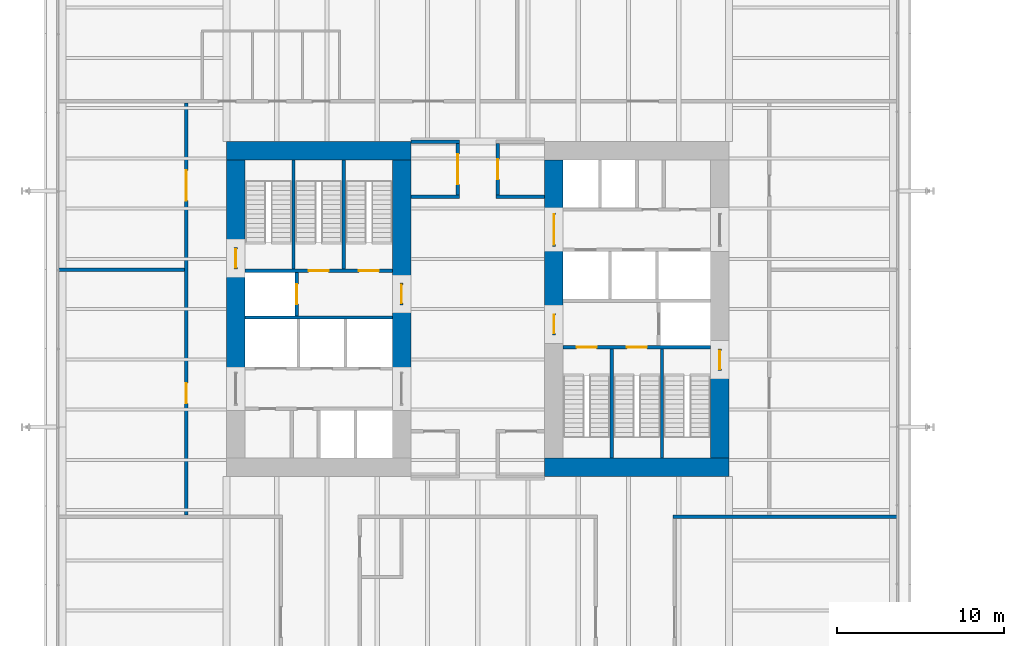
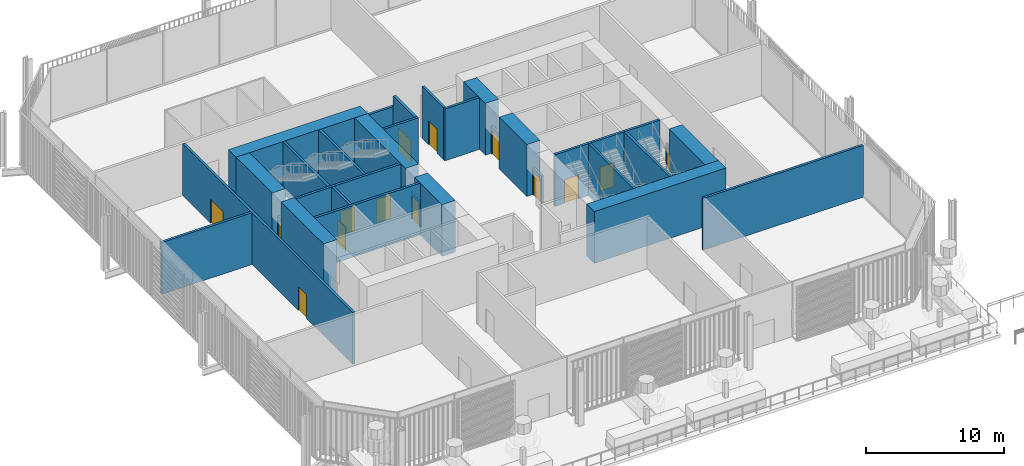
# One storey, part 16 of 21: 30 walls, 14 doors, 14 openings.
"""IFC4 building model written with IfcOpenShell, lengths in metres."""

from ifc_helpers import new_model, si_unit, direction, frame, frame_2d, origin, place, context, subcontext, project, spatial, rectangle, extrude, material, layer, layer_set, type_object, element, fill, save


model = new_model("IFC4")

# Units and contexts
model_context = context("Model", 3, precision=1e-05, world=origin(), true_north=direction((0.0, 1.0)))
body_context = subcontext(model_context, "Body", "Model", "MODEL_VIEW")
ifc_project = project(units=[si_unit("LENGTHUNIT", "METRE"), si_unit("AREAUNIT", "SQUARE_METRE"), si_unit("VOLUMEUNIT", "CUBIC_METRE"), si_unit("PLANEANGLEUNIT", "RADIAN"), si_unit("MASSUNIT", "GRAM", prefix="KILO")], contexts=[model_context])

# Site, building, storey
site_placement = place(None, origin())
site = spatial("IfcSite", under=ifc_project, at=site_placement, CompositionType="ELEMENT")
building_placement = place(site_placement, origin())
building = spatial("IfcBuilding", under=site, at=building_placement, Name="Millrace Tower", CompositionType="ELEMENT")
storey_placement = place(building_placement, frame((0.0, 0.0, 16.10009765625)))
storey = spatial("IfcBuildingStorey", under=building, at=storey_placement, Name="L04", CompositionType="ELEMENT", Elevation=16.10009765625)

# Walls
ifc_material_1 = material(Name="Concrete C80", Category="concrete")
ifc_layer_1 = layer(ifc_material_1, 1.10009765625)
ifc_layer_set_1 = layer_set([ifc_layer_1], Name="Concrete C80")
wall_type_1 = type_object("IfcWallType", Name="Core wall 1100 Concrete C80", PredefinedType="SHEAR", material=ifc_layer_set_1)
wall_1_placement = place(storey_placement, frame((-15.0, 9.449951171875, 0.0), z_axis=(0.0, 0.0, 1.0), x_axis=(1.0, 0.0, 0.0)))
element("IfcWall", 1, at=wall_1_placement, inside=storey, type_object=wall_type_1, Name="Core wall W L04", PredefinedType="SHEAR", context=body_context, shape_type="SweptSolid", body=[
    extrude(rectangle(XDim=11.0, YDim=1.10009765625, at=frame_2d((5.5, 0.0))), origin(), (0.0, 0.0, 1.0), 4.574951171875),
])
wall_2_placement = place(storey_placement, frame((-14.449951171875, -3.75, 0.0), z_axis=(0.0, 0.0, 1.0), x_axis=(0.0, 1.0, 0.0)))
element("IfcWall", 2, at=wall_2_placement, inside=storey, type_object=wall_type_1, Name="Core wall W L04", PredefinedType="SHEAR", context=body_context, shape_type="SweptSolid", body=[
    extrude(rectangle(XDim=6.1298828125, YDim=1.10009765625, at=frame_2d((3.06494140625, 0.0))), origin(), (0.0, 0.0, 1.0), 4.574951171875),
])
wall_3_placement = place(storey_placement, frame((-14.449951171875, 3.679931640625, 0.0), z_axis=(0.0, 0.0, 1.0), x_axis=(0.0, 1.0, 0.0)))
element("IfcWall", 3, at=wall_3_placement, inside=storey, type_object=wall_type_1, Name="Core wall W L04", PredefinedType="SHEAR", context=body_context, shape_type="SweptSolid", body=[
    extrude(rectangle(XDim=5.219970703125, YDim=1.10009765625, at=frame_2d((2.60986328125, 0.0))), origin(), (0.0, 0.0, 1.0), 4.574951171875),
])
wall_4_placement = place(storey_placement, frame((-4.550048828125, -3.75, 0.0), z_axis=(0.0, 0.0, 1.0), x_axis=(0.0, 1.0, 0.0)))
element("IfcWall", 4, at=wall_4_placement, inside=storey, type_object=wall_type_1, Name="Core wall W L04", PredefinedType="SHEAR", context=body_context, shape_type="SweptSolid", body=[
    extrude(rectangle(XDim=4.0, YDim=1.10009765625, at=frame_2d((2.0, 0.0))), origin(), (0.0, 0.0, 1.0), 4.574951171875),
])
wall_5_placement = place(storey_placement, frame((-4.550048828125, 1.550048828125, 0.0), z_axis=(0.0, 0.0, 1.0), x_axis=(0.0, 1.0, 0.0)))
element("IfcWall", 5, at=wall_5_placement, inside=storey, type_object=wall_type_1, Name="Core wall W L04", PredefinedType="SHEAR", context=body_context, shape_type="SweptSolid", body=[
    extrude(rectangle(XDim=7.349853515625, YDim=1.10009765625, at=frame_2d((3.6748046875, 0.0))), origin(), (0.0, 0.0, 1.0), 4.574951171875),
])
wall_6_placement = place(storey_placement, frame((15.0, -9.449951171875, 0.0), z_axis=(0.0, 0.0, 1.0), x_axis=(-1.0, 0.0, 0.0)))
element("IfcWall", 6, at=wall_6_placement, inside=storey, type_object=wall_type_1, Name="Core wall E L04", PredefinedType="SHEAR", context=body_context, shape_type="SweptSolid", body=[
    extrude(rectangle(XDim=11.0, YDim=1.10009765625, at=frame_2d((5.5, 0.0))), origin(), (0.0, 0.0, 1.0), 4.574951171875),
])
wall_7_placement = place(storey_placement, frame((14.449951171875, -3.679931640625, 0.0), z_axis=(0.0, 0.0, 1.0), x_axis=(0.0, -1.0, 0.0)))
element("IfcWall", 7, at=wall_7_placement, inside=storey, type_object=wall_type_1, Name="Core wall E L04", PredefinedType="SHEAR", context=body_context, shape_type="SweptSolid", body=[
    extrude(rectangle(XDim=5.219970703125, YDim=1.10009765625, at=frame_2d((2.60986328125, 0.0))), origin(), (0.0, 0.0, 1.0), 4.574951171875),
])
wall_8_placement = place(storey_placement, frame((4.550048828125, 8.89990234375, 0.0), z_axis=(0.0, 0.0, 1.0), x_axis=(0.0, -1.0, 0.0)))
element("IfcWall", 8, at=wall_8_placement, inside=storey, type_object=wall_type_1, Name="Core wall E L04", PredefinedType="SHEAR", context=body_context, shape_type="SweptSolid", body=[
    extrude(rectangle(XDim=3.14990234375, YDim=1.10009765625, at=frame_2d((1.574951171875, 0.0))), origin(), (0.0, 0.0, 1.0), 4.574951171875),
])
wall_9_placement = place(storey_placement, frame((4.550048828125, 3.75, 0.0), z_axis=(0.0, 0.0, 1.0), x_axis=(0.0, -1.0, 0.0)))
element("IfcWall", 9, at=wall_9_placement, inside=storey, type_object=wall_type_1, Name="Core wall E L04", PredefinedType="SHEAR", context=body_context, shape_type="SweptSolid", body=[
    extrude(rectangle(XDim=4.0, YDim=1.10009765625, at=frame_2d((2.0, 0.0))), origin(), (0.0, 0.0, 1.0), 4.574951171875),
])
ifc_material_2 = material(Name="Masonry partition, fire-rated", Category="masonry")
ifc_layer_2 = layer(ifc_material_2, 0.199951171875)
ifc_layer_set_2 = layer_set([ifc_layer_2], Name="Masonry partition, fire-rated")
wall_type_2 = type_object("IfcWallType", Name="Corridor wall 200", PredefinedType="PARTITIONING", material=ifc_layer_set_2)
wall_10_placement = place(storey_placement, frame((11.64990234375, -12.39990234375, 0.0), z_axis=(0.0, 0.0, 1.0), x_axis=(1.0, 0.0, 0.0)))
element("IfcWall", 10, at=wall_10_placement, inside=storey, type_object=wall_type_2, Name="Corridor wall L04", PredefinedType="PARTITIONING", context=body_context, shape_type="SweptSolid", body=[
    extrude(rectangle(XDim=13.380126953125, YDim=0.199951171875, at=frame_2d((6.68994140625, 0.0))), origin(), (0.0, 0.0, 1.0), 4.574951171875),
])
wall_11_placement = place(storey_placement, frame((-25.030029296875, 2.35009765625, 0.0), z_axis=(0.0, 0.0, 1.0), x_axis=(1.0, 0.0, 0.0)))
element("IfcWall", 11, at=wall_11_placement, inside=storey, type_object=wall_type_2, Name="Corridor wall L04", PredefinedType="PARTITIONING", context=body_context, shape_type="SweptSolid", body=[
    extrude(rectangle(XDim=7.530029296875, YDim=0.199951171875, at=frame_2d((3.76513671875, 0.0))), origin(), (0.0, 0.0, 1.0), 4.574951171875),
])
for number, where, z_axis, x_axis, name in (
    (12, (-4.0, 6.699951171875, 0.0), (0.0, 0.0, 1.0), (1.0, 0.0, 0.0), "Corridor wall L04"),
    (13, (1.10009765625, 6.699951171875, 0.0), (0.0, 0.0, 1.0), (1.0, 0.0, 0.0), "Corridor wall L04"),
):
    element("IfcWall", number, at=place(storey_placement, frame(where, z_axis=z_axis, x_axis=x_axis)), inside=storey, type_object=wall_type_2, Name=name, PredefinedType="PARTITIONING", context=body_context, shape_type="SweptSolid", body=[
        extrude(rectangle(XDim=2.89990234375, YDim=0.199951171875, at=frame_2d((1.449951171875, 0.0))), origin(), (0.0, 0.0, 1.0), 4.574951171875),
    ])
wall_12_placement = place(storey_placement, frame((-4.0, 10.0, 0.0), z_axis=(0.0, 0.0, 1.0), x_axis=(1.0, 0.0, 0.0)))
element("IfcWall", 14, at=wall_12_placement, inside=storey, type_object=wall_type_2, Name="Corridor wall L04", PredefinedType="PARTITIONING", context=body_context, shape_type="SweptSolid", body=[
    extrude(rectangle(XDim=2.89990234375, YDim=0.199951171875, at=frame_2d((1.449951171875, 0.0))), origin(), (0.0, 0.0, 1.0), 3.62744140625),
])

# Wall, opening, door
wall_13_placement = place(storey_placement, frame((1.199951171875, 6.800048828125, 0.0), z_axis=(0.0, 0.0, 1.0), x_axis=(0.0, 1.0, 0.0)))
wall_13 = element("IfcWall", 15, at=wall_13_placement, inside=storey, type_object=wall_type_2, Name="Corridor wall L04", PredefinedType="PARTITIONING", context=body_context, shape_type="SweptSolid", body=[
    extrude(rectangle(XDim=3.099853515625, YDim=0.199951171875, at=frame_2d((1.5498046875, 0.0))), origin(), (0.0, 0.0, 1.0), 4.574951171875),
])
opening_1_placement = place(wall_13_placement, frame((0.949951171875, 0.0, 0.0)))
opening_1 = element("IfcOpeningElement", 16, at=opening_1_placement, cuts=wall_13, Name="Opening 04-P002", PredefinedType="OPENING", context=body_context, shape_type="SweptSolid", body=[
    extrude(rectangle(XDim=1.199951171875, YDim=2.10009765625, at=frame_2d((0.60009765625, 1.050048828125))), frame((0.0, 0.10986328125, 0.0), z_axis=(0.0, -1.0, 0.0), x_axis=(1.0, 0.0, 0.0)), (0.0, 0.0, 1.0), 0.219970703125),
])
ifc_material_3 = material(Name="Steel door set, fire-rated", Category="steel")
door_type_1 = type_object("IfcDoorType", Name="Corridor door 1200 x 2100", OperationType="SINGLE_SWING_LEFT", PredefinedType="DOOR", material=ifc_material_3)
door_1_placement = place(opening_1_placement, frame((1.199951171875, 0.0, 0.0), z_axis=(0.0, 0.0, 1.0), x_axis=(-1.0, 0.0, 0.0)))
door_1 = element("IfcDoor", 17, at=door_1_placement, inside=storey, type_object=door_type_1, Name="Door 04-P002", OperationType="SINGLE_SWING_RIGHT", OverallHeight=2.10009765625, OverallWidth=1.199951171875, PredefinedType="DOOR", context=body_context, shape_type="SweptSolid", body=[
    extrude(rectangle(XDim=1.199951171875, YDim=2.10009765625, at=frame_2d((0.60009765625, 1.050048828125))), frame((0.0, 0.02490234375, 0.0), z_axis=(0.0, -1.0, 0.0), x_axis=(1.0, 0.0, 0.0)), (0.0, 0.0, 1.0), 0.050048828125),
])
fill(opening_1, door_1)

wall_14_placement = place(storey_placement, frame((-1.199951171875, 6.800048828125, 0.0), z_axis=(0.0, 0.0, 1.0), x_axis=(0.0, 1.0, 0.0)))
wall_14 = element("IfcWall", 18, at=wall_14_placement, inside=storey, type_object=wall_type_2, Name="Corridor wall L04", PredefinedType="PARTITIONING", context=body_context, shape_type="SweptSolid", body=[
    extrude(rectangle(XDim=3.099853515625, YDim=0.199951171875, at=frame_2d((1.5498046875, 0.0))), origin(), (0.0, 0.0, 1.0), 4.574951171875),
])
opening_2_placement = place(wall_14_placement, frame((0.64990234375, 0.0, 0.0)))
opening_2 = element("IfcOpeningElement", 19, at=opening_2_placement, cuts=wall_14, Name="Opening 04-P001", PredefinedType="OPENING", context=body_context, shape_type="SweptSolid", body=[
    extrude(rectangle(XDim=1.800048828125, YDim=2.10009765625, at=frame_2d((0.89990234375, 1.050048828125))), frame((0.0, 0.10986328125, 0.0), z_axis=(0.0, -1.0, 0.0), x_axis=(1.0, 0.0, 0.0)), (0.0, 0.0, 1.0), 0.219970703125),
])
ifc_material_4 = material(Name="Steel door set, fire-rated", Category="steel")
door_type_2 = type_object("IfcDoorType", Name="Data hall door 1800 x 2100", OperationType="DOUBLE_DOOR_SINGLE_SWING", PredefinedType="DOOR", material=ifc_material_4)
door_2_placement = place(opening_2_placement, origin())
door_2 = element("IfcDoor", 20, at=door_2_placement, inside=storey, type_object=door_type_2, Name="Door 04-P001", OperationType="DOUBLE_DOOR_SINGLE_SWING", OverallHeight=2.10009765625, OverallWidth=1.800048828125, PredefinedType="DOOR", context=body_context, shape_type="SweptSolid", body=[
    extrude(rectangle(XDim=1.800048828125, YDim=2.10009765625, at=frame_2d((0.89990234375, 1.050048828125))), frame((0.0, 0.02490234375, 0.0), z_axis=(0.0, -1.0, 0.0), x_axis=(1.0, 0.0, 0.0)), (0.0, 0.0, 1.0), 0.050048828125),
])
fill(opening_2, door_2)

# Wall, openings, doors
wall_15_placement = place(storey_placement, frame((-17.39990234375, -12.300048828125, 0.0), z_axis=(0.0, 0.0, 1.0), x_axis=(0.0, 1.0, 0.0)))
wall_15 = element("IfcWall", 21, at=wall_15_placement, inside=storey, type_object=wall_type_2, Name="Corridor wall L04", PredefinedType="PARTITIONING", context=body_context, shape_type="SweptSolid", body=[
    extrude(rectangle(XDim=24.60009765625, YDim=0.199951171875, at=frame_2d((12.300048828125, 0.0))), origin(), (0.0, 0.0, 1.0), 4.574951171875),
])
opening_3_placement = place(wall_15_placement, frame((6.675048828125, 0.0, 0.0)))
opening_3 = element("IfcOpeningElement", 22, at=opening_3_placement, cuts=wall_15, Name="Opening 04-P016", PredefinedType="OPENING", context=body_context, shape_type="SweptSolid", body=[
    extrude(rectangle(XDim=1.199951171875, YDim=2.10009765625, at=frame_2d((0.60009765625, 1.050048828125))), frame((0.0, 0.10986328125, 0.0), z_axis=(0.0, -1.0, 0.0), x_axis=(1.0, 0.0, 0.0)), (0.0, 0.0, 1.0), 0.219970703125),
])
opening_4_placement = place(wall_15_placement, frame((18.77490234375, 0.0, 0.0)))
opening_4 = element("IfcOpeningElement", 23, at=opening_4_placement, cuts=wall_15, Name="Opening 04-P017", PredefinedType="OPENING", context=body_context, shape_type="SweptSolid", body=[
    extrude(rectangle(XDim=1.800048828125, YDim=2.10009765625, at=frame_2d((0.89990234375, 1.050048828125))), frame((0.0, 0.10986328125, 0.0), z_axis=(0.0, -1.0, 0.0), x_axis=(1.0, 0.0, 0.0)), (0.0, 0.0, 1.0), 0.219970703125),
])
door_3_placement = place(opening_3_placement, origin())
door_3 = element("IfcDoor", 24, at=door_3_placement, inside=storey, type_object=door_type_1, Name="Door 04-P016", OperationType="SINGLE_SWING_LEFT", OverallHeight=2.10009765625, OverallWidth=1.199951171875, PredefinedType="DOOR", context=body_context, shape_type="SweptSolid", body=[
    extrude(rectangle(XDim=1.199951171875, YDim=2.10009765625, at=frame_2d((0.60009765625, 1.050048828125))), frame((0.0, 0.02490234375, 0.0), z_axis=(0.0, -1.0, 0.0), x_axis=(1.0, 0.0, 0.0)), (0.0, 0.0, 1.0), 0.050048828125),
])
fill(opening_3, door_3)
door_4_placement = place(opening_4_placement, origin())
door_4 = element("IfcDoor", 25, at=door_4_placement, inside=storey, type_object=door_type_2, Name="Door 04-P017", OperationType="DOUBLE_DOOR_SINGLE_SWING", OverallHeight=2.10009765625, OverallWidth=1.800048828125, PredefinedType="DOOR", context=body_context, shape_type="SweptSolid", body=[
    extrude(rectangle(XDim=1.800048828125, YDim=2.10009765625, at=frame_2d((0.89990234375, 1.050048828125))), frame((0.0, 0.02490234375, 0.0), z_axis=(0.0, -1.0, 0.0), x_axis=(1.0, 0.0, 0.0)), (0.0, 0.0, 1.0), 0.050048828125),
])
fill(opening_4, door_4)

# Wall
ifc_material_5 = material(Name="Masonry partition, fire-rated", Category="masonry")
ifc_layer_3 = layer(ifc_material_5, 0.199951171875)
ifc_layer_set_3 = layer_set([ifc_layer_3], Name="Masonry partition, fire-rated")
wall_type_3 = type_object("IfcWallType", Name="Lift shaft wall 200", PredefinedType="PARTITIONING", material=ifc_layer_set_3)
wall_16_placement = place(storey_placement, frame((-13.89990234375, -0.5, 0.0), z_axis=(0.0, 0.0, 1.0), x_axis=(1.0, 0.0, 0.0)))
element("IfcWall", 26, at=wall_16_placement, inside=storey, type_object=wall_type_3, Name="Lift shaft wall W L04", PredefinedType="PARTITIONING", context=body_context, shape_type="SweptSolid", body=[
    extrude(rectangle(XDim=8.7998046875, YDim=0.199951171875, at=frame_2d((4.39990234375, 0.0))), origin(), (0.0, 0.0, 1.0), 4.574951171875),
])

# Wall, opening, door
wall_17_placement = place(storey_placement, frame((-10.800048828125, -0.39990234375, 0.0), z_axis=(0.0, 0.0, 1.0), x_axis=(0.0, 1.0, 0.0)))
wall_17 = element("IfcWall", 27, at=wall_17_placement, inside=storey, type_object=wall_type_3, Name="Lift shaft wall W L04", PredefinedType="PARTITIONING", context=body_context, shape_type="SweptSolid", body=[
    extrude(rectangle(XDim=2.579833984375, YDim=0.199951171875, at=frame_2d((1.2900390625, 0.0))), origin(), (0.0, 0.0, 1.0), 4.574951171875),
])
opening_5_placement = place(wall_17_placement, frame((0.68994140625, 0.0, 0.0)))
opening_5 = element("IfcOpeningElement", 28, at=opening_5_placement, cuts=wall_17, Name="Opening 04-LD08", PredefinedType="OPENING", context=body_context, shape_type="SweptSolid", body=[
    extrude(rectangle(XDim=1.199951171875, YDim=2.10009765625, at=frame_2d((0.60009765625, 1.050048828125))), frame((0.0, 0.10986328125, 0.0), z_axis=(0.0, -1.0, 0.0), x_axis=(1.0, 0.0, 0.0)), (0.0, 0.0, 1.0), 0.219970703125),
])
ifc_material_6 = material(Name="Stainless steel, fire-rated", Category="steel")
door_type_3 = type_object("IfcDoorType", Name="Lift landing door 1200 x 2100", OperationType="DOUBLE_DOOR_SLIDING", PredefinedType="DOOR", material=ifc_material_6)
door_5_placement = place(opening_5_placement, origin())
door_5 = element("IfcDoor", 29, at=door_5_placement, inside=storey, type_object=door_type_3, Name="Lift landing door LF8 L04", OperationType="DOUBLE_DOOR_SLIDING", OverallHeight=2.10009765625, OverallWidth=1.199951171875, PredefinedType="DOOR", context=body_context, shape_type="SweptSolid", body=[
    extrude(rectangle(XDim=1.199951171875, YDim=2.10009765625, at=frame_2d((0.60009765625, 1.050048828125))), frame((0.0, 0.02490234375, 0.0), z_axis=(0.0, -1.0, 0.0), x_axis=(1.0, 0.0, 0.0)), (0.0, 0.0, 1.0), 0.050048828125),
])
fill(opening_5, door_5)

ifc_material_7 = material(Name="Masonry partition, fire-rated", Category="masonry")
ifc_layer_4 = layer(ifc_material_7, 0.199951171875)
ifc_layer_set_4 = layer_set([ifc_layer_4], Name="Masonry partition, fire-rated")
wall_type_4 = type_object("IfcWallType", Name="Lobby wall 200", PredefinedType="PARTITIONING", material=ifc_layer_set_4)
wall_18_placement = place(storey_placement, frame((-4.550048828125, 0.25, 0.0), z_axis=(0.0, 0.0, 1.0), x_axis=(0.0, 1.0, 0.0)))
wall_18 = element("IfcWall", 30, at=wall_18_placement, inside=storey, type_object=wall_type_4, Name="Lobby wall W L04", PredefinedType="PARTITIONING", context=body_context, shape_type="SweptSolid", body=[
    extrude(rectangle(XDim=1.300048828125, YDim=0.199951171875, at=frame_2d((0.64990234375, 0.0))), origin(), (0.0, 0.0, 1.0), 2.39990234375),
])
opening_6_placement = place(wall_18_placement, frame((0.10009765625, 0.0, 0.0)))
opening_6 = element("IfcOpeningElement", 31, at=opening_6_placement, cuts=wall_18, Name="Opening 04-C004", PredefinedType="OPENING", context=body_context, shape_type="SweptSolid", body=[
    extrude(rectangle(XDim=1.10009765625, YDim=2.10009765625, at=frame_2d((0.550048828125, 1.050048828125))), frame((0.0, 0.10986328125, 0.0), z_axis=(0.0, -1.0, 0.0), x_axis=(1.0, 0.0, 0.0)), (0.0, 0.0, 1.0), 0.219970703125),
])
ifc_material_8 = material(Name="Steel door, fire-rated", Category="steel")
door_type_4 = type_object("IfcDoorType", Name="Lobby door 1100 x 2100", OperationType="SINGLE_SWING_LEFT", PredefinedType="DOOR", material=ifc_material_8)
door_6_placement = place(opening_6_placement, origin())
door_6 = element("IfcDoor", 32, at=door_6_placement, inside=storey, type_object=door_type_4, Name="Lobby door 04-C004", OperationType="SINGLE_SWING_RIGHT", OverallHeight=2.10009765625, OverallWidth=1.10009765625, PredefinedType="DOOR", context=body_context, shape_type="SweptSolid", body=[
    extrude(rectangle(XDim=1.10009765625, YDim=2.10009765625, at=frame_2d((0.550048828125, 1.050048828125))), frame((0.0, 0.02490234375, 0.0), z_axis=(0.0, -1.0, 0.0), x_axis=(1.0, 0.0, 0.0)), (0.0, 0.0, 1.0), 0.050048828125),
])
fill(opening_6, door_6)

wall_19_placement = place(storey_placement, frame((4.550048828125, 5.75, 0.0), z_axis=(0.0, 0.0, 1.0), x_axis=(0.0, -1.0, 0.0)))
wall_19 = element("IfcWall", 33, at=wall_19_placement, inside=storey, type_object=wall_type_4, Name="Lobby wall E L04", PredefinedType="PARTITIONING", context=body_context, shape_type="SweptSolid", body=[
    extrude(rectangle(XDim=2.0, YDim=0.199951171875, at=frame_2d((1.0, 0.0))), origin(), (0.0, 0.0, 1.0), 2.39990234375),
])
opening_7_placement = place(wall_19_placement, frame((0.10009765625, 0.0, 0.0)))
opening_7 = element("IfcOpeningElement", 34, at=opening_7_placement, cuts=wall_19, Name="Opening 04-C011", PredefinedType="OPENING", context=body_context, shape_type="SweptSolid", body=[
    extrude(rectangle(XDim=1.800048828125, YDim=2.10009765625, at=frame_2d((0.89990234375, 1.050048828125))), frame((0.0, 0.10986328125, 0.0), z_axis=(0.0, -1.0, 0.0), x_axis=(1.0, 0.0, 0.0)), (0.0, 0.0, 1.0), 0.219970703125),
])
ifc_material_9 = material(Name="Steel door, fire-rated", Category="steel")
door_type_5 = type_object("IfcDoorType", Name="Lobby door 1800 x 2100", OperationType="DOUBLE_DOOR_SINGLE_SWING", PredefinedType="DOOR", material=ifc_material_9)
door_7_placement = place(opening_7_placement, origin())
door_7 = element("IfcDoor", 35, at=door_7_placement, inside=storey, type_object=door_type_5, Name="Lobby door 04-C011", OperationType="DOUBLE_DOOR_SINGLE_SWING", OverallHeight=2.10009765625, OverallWidth=1.800048828125, PredefinedType="DOOR", context=body_context, shape_type="SweptSolid", body=[
    extrude(rectangle(XDim=1.800048828125, YDim=2.10009765625, at=frame_2d((0.89990234375, 1.050048828125))), frame((0.0, 0.02490234375, 0.0), z_axis=(0.0, -1.0, 0.0), x_axis=(1.0, 0.0, 0.0)), (0.0, 0.0, 1.0), 0.050048828125),
])
fill(opening_7, door_7)

wall_20_placement = place(storey_placement, frame((4.550048828125, -0.25, 0.0), z_axis=(0.0, 0.0, 1.0), x_axis=(0.0, -1.0, 0.0)))
wall_20 = element("IfcWall", 36, at=wall_20_placement, inside=storey, type_object=wall_type_4, Name="Lobby wall E L04", PredefinedType="PARTITIONING", context=body_context, shape_type="SweptSolid", body=[
    extrude(rectangle(XDim=1.300048828125, YDim=0.199951171875, at=frame_2d((0.64990234375, 0.0))), origin(), (0.0, 0.0, 1.0), 2.39990234375),
])
opening_8_placement = place(wall_20_placement, frame((0.10009765625, 0.0, 0.0)))
opening_8 = element("IfcOpeningElement", 37, at=opening_8_placement, cuts=wall_20, Name="Opening 04-C012", PredefinedType="OPENING", context=body_context, shape_type="SweptSolid", body=[
    extrude(rectangle(XDim=1.10009765625, YDim=2.10009765625, at=frame_2d((0.550048828125, 1.050048828125))), frame((0.0, 0.10986328125, 0.0), z_axis=(0.0, -1.0, 0.0), x_axis=(1.0, 0.0, 0.0)), (0.0, 0.0, 1.0), 0.219970703125),
])
door_8_placement = place(opening_8_placement, origin())
door_8 = element("IfcDoor", 38, at=door_8_placement, inside=storey, type_object=door_type_4, Name="Lobby door 04-C012", OperationType="SINGLE_SWING_LEFT", OverallHeight=2.10009765625, OverallWidth=1.10009765625, PredefinedType="DOOR", context=body_context, shape_type="SweptSolid", body=[
    extrude(rectangle(XDim=1.10009765625, YDim=2.10009765625, at=frame_2d((0.550048828125, 1.050048828125))), frame((0.0, 0.02490234375, 0.0), z_axis=(0.0, -1.0, 0.0), x_axis=(1.0, 0.0, 0.0)), (0.0, 0.0, 1.0), 0.050048828125),
])
fill(opening_8, door_8)

ifc_material_10 = material(Name="Concrete C40", Category="concrete")
ifc_layer_5 = layer(ifc_material_10, 0.199951171875)
ifc_layer_set_5 = layer_set([ifc_layer_5], Name="Concrete C40")
wall_type_5 = type_object("IfcWallType", Name="Stair enclosure wall 200 Concrete C40", PredefinedType="SHEAR", material=ifc_layer_set_5)
wall_21_placement = place(storey_placement, frame((-14.449951171875, 2.3798828125, 0.0), z_axis=(0.0, 0.0, 1.0), x_axis=(0.0, 1.0, 0.0)))
wall_21 = element("IfcWall", 39, at=wall_21_placement, inside=storey, type_object=wall_type_5, Name="Stair enclosure wall W L04", PredefinedType="SHEAR", context=body_context, shape_type="SweptSolid", body=[
    extrude(rectangle(XDim=1.300048828125, YDim=0.199951171875, at=frame_2d((0.64990234375, 0.0))), origin(), (0.0, 0.0, 1.0), 2.39990234375),
])
opening_9_placement = place(wall_21_placement, frame((0.10009765625, 0.0, 0.0)))
opening_9 = element("IfcOpeningElement", 40, at=opening_9_placement, cuts=wall_21, Name="Opening 04-C002", PredefinedType="OPENING", context=body_context, shape_type="SweptSolid", body=[
    extrude(rectangle(XDim=1.10009765625, YDim=2.10009765625, at=frame_2d((0.550048828125, 1.050048828125))), frame((0.0, 0.10986328125, 0.0), z_axis=(0.0, -1.0, 0.0), x_axis=(1.0, 0.0, 0.0)), (0.0, 0.0, 1.0), 0.219970703125),
])
ifc_material_11 = material(Name="Steel door, fire-rated", Category="steel")
door_type_6 = type_object("IfcDoorType", Name="Stair door 1100 x 2100", OperationType="SINGLE_SWING_LEFT", PredefinedType="DOOR", material=ifc_material_11)
door_9_placement = place(opening_9_placement, origin())
door_9 = element("IfcDoor", 41, at=door_9_placement, inside=storey, type_object=door_type_6, Name="Stair door 04-C002", OperationType="SINGLE_SWING_RIGHT", OverallHeight=2.10009765625, OverallWidth=1.10009765625, PredefinedType="DOOR", context=body_context, shape_type="SweptSolid", body=[
    extrude(rectangle(XDim=1.10009765625, YDim=2.10009765625, at=frame_2d((0.550048828125, 1.050048828125))), frame((0.0, 0.02490234375, 0.0), z_axis=(0.0, -1.0, 0.0), x_axis=(1.0, 0.0, 0.0)), (0.0, 0.0, 1.0), 0.050048828125),
])
fill(opening_9, door_9)

# Wall, openings, doors
wall_22_placement = place(storey_placement, frame((-13.89990234375, 2.280029296875, 0.0), z_axis=(0.0, 0.0, 1.0), x_axis=(1.0, 0.0, 0.0)))
wall_22 = element("IfcWall", 42, at=wall_22_placement, inside=storey, type_object=wall_type_5, Name="Stair enclosure wall W L04", PredefinedType="SHEAR", context=body_context, shape_type="SweptSolid", body=[
    extrude(rectangle(XDim=8.7998046875, YDim=0.199951171875, at=frame_2d((4.39990234375, 0.0))), origin(), (0.0, 0.0, 1.0), 4.574951171875),
])
opening_10_placement = place(wall_22_placement, frame((3.800048828125, 0.0, 0.0)))
opening_10 = element("IfcOpeningElement", 43, at=opening_10_placement, cuts=wall_22, Name="Opening 04-C007", PredefinedType="OPENING", context=body_context, shape_type="SweptSolid", body=[
    extrude(rectangle(XDim=1.199951171875, YDim=2.10009765625, at=frame_2d((0.60009765625, 1.050048828125))), frame((0.0, 0.10986328125, 0.0), z_axis=(0.0, -1.0, 0.0), x_axis=(1.0, 0.0, 0.0)), (0.0, 0.0, 1.0), 0.219970703125),
])
opening_11_placement = place(wall_22_placement, frame((6.800048828125, 0.0, 0.0)))
opening_11 = element("IfcOpeningElement", 44, at=opening_11_placement, cuts=wall_22, Name="Opening 04-C008", PredefinedType="OPENING", context=body_context, shape_type="SweptSolid", body=[
    extrude(rectangle(XDim=1.199951171875, YDim=2.10009765625, at=frame_2d((0.60009765625, 1.050048828125))), frame((0.0, 0.10986328125, 0.0), z_axis=(0.0, -1.0, 0.0), x_axis=(1.0, 0.0, 0.0)), (0.0, 0.0, 1.0), 0.219970703125),
])
ifc_material_12 = material(Name="Steel door, fire-rated", Category="steel")
door_type_7 = type_object("IfcDoorType", Name="Stair door 1200 x 2100", OperationType="SINGLE_SWING_LEFT", PredefinedType="DOOR", material=ifc_material_12)
door_10_placement = place(opening_10_placement, frame((1.199951171875, 0.0, 0.0), z_axis=(0.0, 0.0, 1.0), x_axis=(-1.0, 0.0, 0.0)))
door_10 = element("IfcDoor", 45, at=door_10_placement, inside=storey, type_object=door_type_7, Name="Stair door 04-C007", OperationType="SINGLE_SWING_LEFT", OverallHeight=2.10009765625, OverallWidth=1.199951171875, PredefinedType="DOOR", context=body_context, shape_type="SweptSolid", body=[
    extrude(rectangle(XDim=1.199951171875, YDim=2.10009765625, at=frame_2d((0.60009765625, 1.050048828125))), frame((0.0, 0.02490234375, 0.0), z_axis=(0.0, -1.0, 0.0), x_axis=(1.0, 0.0, 0.0)), (0.0, 0.0, 1.0), 0.050048828125),
])
fill(opening_10, door_10)
door_11_placement = place(opening_11_placement, frame((1.199951171875, 0.0, 0.0), z_axis=(0.0, 0.0, 1.0), x_axis=(-1.0, 0.0, 0.0)))
door_11 = element("IfcDoor", 46, at=door_11_placement, inside=storey, type_object=door_type_7, Name="Stair door 04-C008", OperationType="SINGLE_SWING_LEFT", OverallHeight=2.10009765625, OverallWidth=1.199951171875, PredefinedType="DOOR", context=body_context, shape_type="SweptSolid", body=[
    extrude(rectangle(XDim=1.199951171875, YDim=2.10009765625, at=frame_2d((0.60009765625, 1.050048828125))), frame((0.0, 0.02490234375, 0.0), z_axis=(0.0, -1.0, 0.0), x_axis=(1.0, 0.0, 0.0)), (0.0, 0.0, 1.0), 0.050048828125),
])
fill(opening_11, door_11)

# Walls
for number, where, z_axis, x_axis, name in (
    (47, (-11.0, 2.3798828125, 0.0), (0.0, 0.0, 1.0), (0.0, 1.0, 0.0), "Stair enclosure wall W L04"),
    (48, (-8.0, 2.3798828125, 0.0), (0.0, 0.0, 1.0), (0.0, 1.0, 0.0), "Stair enclosure wall W L04"),
):
    element("IfcWall", number, at=place(storey_placement, frame(where, z_axis=z_axis, x_axis=x_axis)), inside=storey, type_object=wall_type_5, Name=name, PredefinedType="SHEAR", context=body_context, shape_type="SweptSolid", body=[
        extrude(rectangle(XDim=6.52001953125, YDim=0.199951171875, at=frame_2d((3.260009765625, 0.0))), origin(), (0.0, 0.0, 1.0), 4.574951171875),
    ])

# Wall, opening, door
wall_23_placement = place(storey_placement, frame((14.449951171875, -2.3798828125, 0.0), z_axis=(0.0, 0.0, 1.0), x_axis=(0.0, -1.0, 0.0)))
wall_23 = element("IfcWall", 49, at=wall_23_placement, inside=storey, type_object=wall_type_5, Name="Stair enclosure wall E L04", PredefinedType="SHEAR", context=body_context, shape_type="SweptSolid", body=[
    extrude(rectangle(XDim=1.300048828125, YDim=0.199951171875, at=frame_2d((0.64990234375, 0.0))), origin(), (0.0, 0.0, 1.0), 2.39990234375),
])
opening_12_placement = place(wall_23_placement, frame((0.10009765625, 0.0, 0.0)))
opening_12 = element("IfcOpeningElement", 50, at=opening_12_placement, cuts=wall_23, Name="Opening 04-C010", PredefinedType="OPENING", context=body_context, shape_type="SweptSolid", body=[
    extrude(rectangle(XDim=1.10009765625, YDim=2.10009765625, at=frame_2d((0.550048828125, 1.050048828125))), frame((0.0, 0.10986328125, 0.0), z_axis=(0.0, -1.0, 0.0), x_axis=(1.0, 0.0, 0.0)), (0.0, 0.0, 1.0), 0.219970703125),
])
door_12_placement = place(opening_12_placement, origin())
door_12 = element("IfcDoor", 51, at=door_12_placement, inside=storey, type_object=door_type_6, Name="Stair door 04-C010", OperationType="SINGLE_SWING_RIGHT", OverallHeight=2.10009765625, OverallWidth=1.10009765625, PredefinedType="DOOR", context=body_context, shape_type="SweptSolid", body=[
    extrude(rectangle(XDim=1.10009765625, YDim=2.10009765625, at=frame_2d((0.550048828125, 1.050048828125))), frame((0.0, 0.02490234375, 0.0), z_axis=(0.0, -1.0, 0.0), x_axis=(1.0, 0.0, 0.0)), (0.0, 0.0, 1.0), 0.050048828125),
])
fill(opening_12, door_12)

# Wall, openings, doors
wall_24_placement = place(storey_placement, frame((13.89990234375, -2.280029296875, 0.0), z_axis=(0.0, 0.0, 1.0), x_axis=(-1.0, 0.0, 0.0)))
wall_24 = element("IfcWall", 52, at=wall_24_placement, inside=storey, type_object=wall_type_5, Name="Stair enclosure wall E L04", PredefinedType="SHEAR", context=body_context, shape_type="SweptSolid", body=[
    extrude(rectangle(XDim=8.7998046875, YDim=0.199951171875, at=frame_2d((4.39990234375, 0.0))), origin(), (0.0, 0.0, 1.0), 4.574951171875),
])
opening_13_placement = place(wall_24_placement, frame((3.800048828125, 0.0, 0.0)))
opening_13 = element("IfcOpeningElement", 53, at=opening_13_placement, cuts=wall_24, Name="Opening 04-C015", PredefinedType="OPENING", context=body_context, shape_type="SweptSolid", body=[
    extrude(rectangle(XDim=1.199951171875, YDim=2.10009765625, at=frame_2d((0.60009765625, 1.050048828125))), frame((0.0, 0.10986328125, 0.0), z_axis=(0.0, -1.0, 0.0), x_axis=(1.0, 0.0, 0.0)), (0.0, 0.0, 1.0), 0.219970703125),
])
opening_14_placement = place(wall_24_placement, frame((6.800048828125, 0.0, 0.0)))
opening_14 = element("IfcOpeningElement", 54, at=opening_14_placement, cuts=wall_24, Name="Opening 04-C016", PredefinedType="OPENING", context=body_context, shape_type="SweptSolid", body=[
    extrude(rectangle(XDim=1.199951171875, YDim=2.10009765625, at=frame_2d((0.60009765625, 1.050048828125))), frame((0.0, 0.10986328125, 0.0), z_axis=(0.0, -1.0, 0.0), x_axis=(1.0, 0.0, 0.0)), (0.0, 0.0, 1.0), 0.219970703125),
])
door_13_placement = place(opening_13_placement, frame((1.199951171875, 0.0, 0.0), z_axis=(0.0, 0.0, 1.0), x_axis=(-1.0, 0.0, 0.0)))
door_13 = element("IfcDoor", 55, at=door_13_placement, inside=storey, type_object=door_type_7, Name="Stair door 04-C015", OperationType="SINGLE_SWING_LEFT", OverallHeight=2.10009765625, OverallWidth=1.199951171875, PredefinedType="DOOR", context=body_context, shape_type="SweptSolid", body=[
    extrude(rectangle(XDim=1.199951171875, YDim=2.10009765625, at=frame_2d((0.60009765625, 1.050048828125))), frame((0.0, 0.02490234375, 0.0), z_axis=(0.0, -1.0, 0.0), x_axis=(1.0, 0.0, 0.0)), (0.0, 0.0, 1.0), 0.050048828125),
])
fill(opening_13, door_13)
door_14_placement = place(opening_14_placement, frame((1.199951171875, 0.0, 0.0), z_axis=(0.0, 0.0, 1.0), x_axis=(-1.0, 0.0, 0.0)))
door_14 = element("IfcDoor", 56, at=door_14_placement, inside=storey, type_object=door_type_7, Name="Stair door 04-C016", OperationType="SINGLE_SWING_LEFT", OverallHeight=2.10009765625, OverallWidth=1.199951171875, PredefinedType="DOOR", context=body_context, shape_type="SweptSolid", body=[
    extrude(rectangle(XDim=1.199951171875, YDim=2.10009765625, at=frame_2d((0.60009765625, 1.050048828125))), frame((0.0, 0.02490234375, 0.0), z_axis=(0.0, -1.0, 0.0), x_axis=(1.0, 0.0, 0.0)), (0.0, 0.0, 1.0), 0.050048828125),
])
fill(opening_14, door_14)

# Walls
for number, where, z_axis, x_axis, name in (
    (57, (11.0, -2.3798828125, 0.0), (0.0, 0.0, 1.0), (0.0, -1.0, 0.0), "Stair enclosure wall E L04"),
    (58, (8.0, -2.3798828125, 0.0), (0.0, 0.0, 1.0), (0.0, -1.0, 0.0), "Stair enclosure wall E L04"),
):
    element("IfcWall", number, at=place(storey_placement, frame(where, z_axis=z_axis, x_axis=x_axis)), inside=storey, type_object=wall_type_5, Name=name, PredefinedType="SHEAR", context=body_context, shape_type="SweptSolid", body=[
        extrude(rectangle(XDim=6.52001953125, YDim=0.199951171875, at=frame_2d((3.260009765625, 0.0))), origin(), (0.0, 0.0, 1.0), 4.574951171875),
    ])

save(model, "model.ifc")
